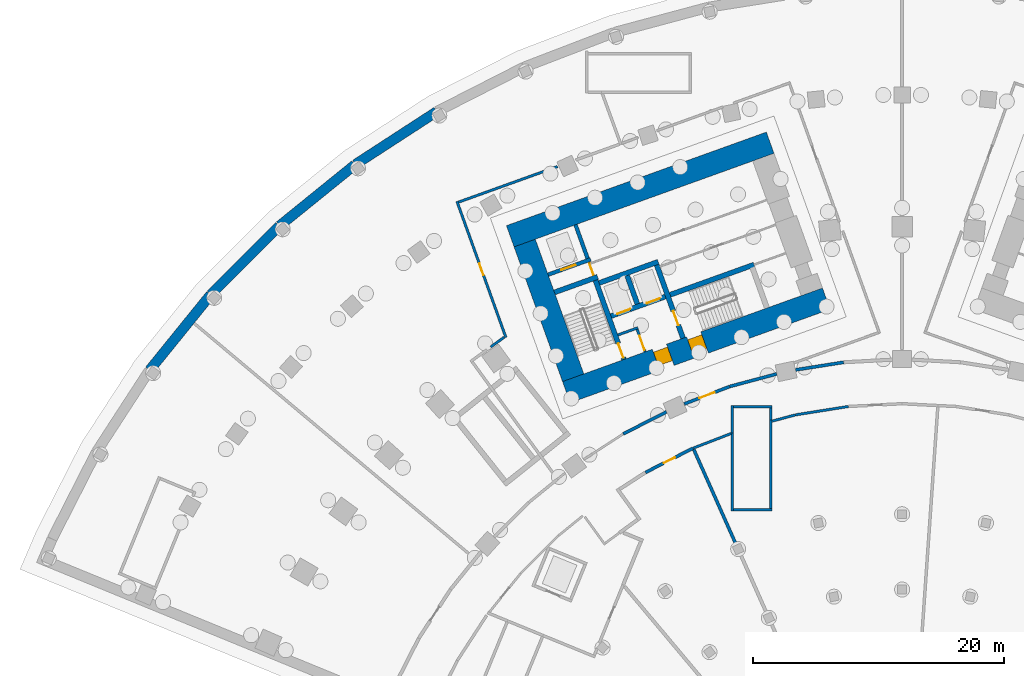
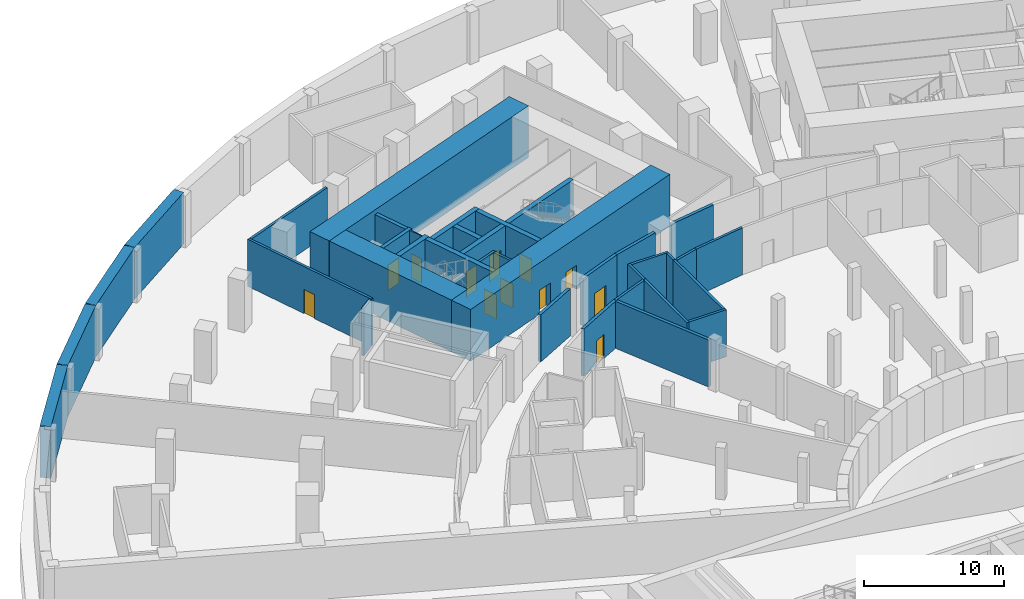
# One storey, part 10 of 25: 36 walls, 12 doors, 12 openings.
"""IFC4 building model written with IfcOpenShell, lengths in metres."""

from ifc_helpers import new_model, si_unit, direction, frame, frame_2d, origin, place, context, subcontext, project, spatial, rectangle, extrude, material, layer, layer_set, type_object, element, fill, save


model = new_model("IFC4")

# Units and contexts
model_context = context("Model", 3, precision=1e-05, world=origin(), true_north=direction((0.0, 1.0)))
body_context = subcontext(model_context, "Body", "Model", "MODEL_VIEW")
ifc_project = project(units=[si_unit("LENGTHUNIT", "METRE"), si_unit("AREAUNIT", "SQUARE_METRE"), si_unit("VOLUMEUNIT", "CUBIC_METRE"), si_unit("PLANEANGLEUNIT", "RADIAN"), si_unit("MASSUNIT", "GRAM", prefix="KILO")], contexts=[model_context])

# Site, building, storey
site_placement = place(None, origin())
site = spatial("IfcSite", under=ifc_project, at=site_placement, CompositionType="ELEMENT")
building_placement = place(site_placement, origin())
building = spatial("IfcBuilding", under=site, at=building_placement, Name="Stone Belt Terrace Tower", CompositionType="ELEMENT")
storey_placement = place(building_placement, frame((0.0, 0.0, -13.5)))
storey = spatial("IfcBuildingStorey", under=building, at=storey_placement, Name="B3", CompositionType="ELEMENT", Elevation=-13.5)

# Walls
ifc_material_1 = material(Name="Concrete B30", Category="concrete")
ifc_layer_1 = layer(ifc_material_1, 0.800048828125)
ifc_layer_set_1 = layer_set([ifc_layer_1], Name="Basement wall 800 B30")
wall_type_1 = type_object("IfcWallType", Name="Basement wall 800 B30", PredefinedType="SHEAR", material=ifc_layer_set_1)
for number, where, z_axis, x_axis, name in (
    (1, (-37.0673828125, 64.16064453125, 0.0), (0.0, 0.0, 1.0), (-0.838660466412, -0.544654589696, 0.0), "Basement wall B3 41"),
    (2, (-43.57080078125, 59.9345703125, 0.0), (0.0, 0.0, 1.0), (-0.777146839365, -0.629319306922, 0.0), "Basement wall B3 42"),
    (3, (-49.596923828125, 55.0517578125, 0.0), (0.0, 0.0, 1.0), (-0.707106781187, -0.707106781187, 0.0), "Basement wall B3 43"),
    (4, (-55.079833984375, 49.56591796875, 0.0), (0.0, 0.0, 1.0), (-0.629319306922, -0.777146839365, 0.0), "Basement wall B3 44"),
):
    element("IfcWall", number, at=place(storey_placement, frame(where, z_axis=z_axis, x_axis=x_axis)), inside=storey, type_object=wall_type_1, Name=name, PredefinedType="SHEAR", context=body_context, shape_type="SweptSolid", body=[
        extrude(rectangle(XDim=7.71435546875, YDim=0.800048828125, at=frame_2d((3.857177734375, 0.0))), origin(), (0.0, 0.0, 1.0), 4.5),
    ])
ifc_layer_2 = layer(ifc_material_1, 0.25)
ifc_layer_set_2 = layer_set([ifc_layer_2], Name="Compartment wall 250")
wall_type_2 = type_object("IfcWallType", Name="Compartment wall 250", PredefinedType="SOLIDWALL", material=ifc_layer_set_2)
wall_1_placement = place(storey_placement, frame((-8.480224609375, 43.59521484375, 0.0), z_axis=(0.0, 0.0, 1.0), x_axis=(0.987762453966, 0.155965812071, 0.0)))
element("IfcWall", 5, at=wall_1_placement, inside=storey, type_object=wall_type_2, Name="Compartment wall B3 8", PredefinedType="SOLIDWALL", context=body_context, shape_type="SweptSolid", body=[
    extrude(rectangle(XDim=3.87109375, YDim=0.25, at=frame_2d((1.935546875, 0.0))), origin(), (0.0, 0.0, 1.0), 4.10009765625),
])

# Wall, opening, door
ifc_material_2 = material(Name="Plasterboard partition")
ifc_layer_3 = layer(ifc_material_2, 0.10009765625)
ifc_layer_set_3 = layer_set([ifc_layer_3], Name="Core partition 100")
wall_type_3 = type_object("IfcWallType", Name="Core partition 100", PredefinedType="PARTITIONING", material=ifc_layer_set_3)
wall_2_placement = place(storey_placement, frame((-24.555908203125, 51.10400390625, 0.0), z_axis=(0.0, 0.0, 1.0), x_axis=(-0.338621735342, 0.94092258999, 0.0)))
wall_2 = element("IfcWall", 6, at=wall_2_placement, inside=storey, type_object=wall_type_3, Name="Core A wall", PredefinedType="PARTITIONING", context=body_context, shape_type="SweptSolid", body=[
    extrude(rectangle(XDim=1.14990234375, YDim=0.10009765625, at=frame_2d((0.574951171875, 0.0))), origin(), (0.0, 0.0, 1.0), 4.10009765625),
])
opening_1_placement = place(wall_2_placement, frame((0.050048828125, 0.0, 0.0)))
opening_1 = element("IfcOpeningElement", 7, at=opening_1_placement, cuts=wall_2, Name="Opening B3-C03", PredefinedType="OPENING", context=body_context, shape_type="SweptSolid", body=[
    extrude(rectangle(XDim=1.0, YDim=2.10009765625, at=frame_2d((0.5, 1.050048828125))), frame((0.0, 0.06005859375, 0.0), z_axis=(0.0, -1.0, 0.0), x_axis=(1.0, 0.0, 0.0)), (0.0, 0.0, 1.0), 0.1201171875),
])
ifc_material_3 = material(Name="Timber door leaf", Category="wood")
door_type_1 = type_object("IfcDoorType", Name="Core room door 1000", OperationType="SINGLE_SWING_LEFT", PredefinedType="DOOR", material=ifc_material_3)
door_1_placement = place(opening_1_placement, origin())
door_1 = element("IfcDoor", 8, at=door_1_placement, inside=storey, type_object=door_type_1, Name="Service lift lobby door core A", OperationType="SINGLE_SWING_RIGHT", OverallHeight=2.10009765625, OverallWidth=1.0, PredefinedType="DOOR", context=body_context, shape_type="SweptSolid", body=[
    extrude(rectangle(XDim=1.0, YDim=2.10009765625, at=frame_2d((0.5, 1.050048828125))), frame((0.0, 0.02490234375, 0.0), z_axis=(0.0, -1.0, 0.0), x_axis=(1.0, 0.0, 0.0)), (0.0, 0.0, 1.0), 0.050048828125),
])
fill(opening_1, door_1)

# Wall, openings, doors
ifc_material_4 = material(Name="Concrete B80", Category="concrete")
ifc_layer_4 = layer(ifc_material_4, 1.800048828125)
ifc_layer_set_4 = layer_set([ifc_layer_4], Name="Core wall 1800 B80")
wall_type_4 = type_object("IfcWallType", Name="Core wall 1800 B80", PredefinedType="SHEAR", material=ifc_layer_set_4)
wall_3_placement = place(storey_placement, frame((-26.739501953125, 41.815673828125, 0.0), z_axis=(0.0, 0.0, 1.0), x_axis=(0.940921642213, 0.338624368902, 0.0)))
wall_3 = element("IfcWall", 9, at=wall_3_placement, inside=storey, type_object=wall_type_4, Name="Core A wall concave B3", PredefinedType="SHEAR", context=body_context, shape_type="SweptSolid", body=[
    extrude(rectangle(XDim=22.0, YDim=1.800048828125, at=frame_2d((11.0, 0.0))), origin(), (0.0, 0.0, 1.0), 4.5),
])
opening_2_placement = place(wall_3_placement, frame((7.60009765625, 0.0, 0.0)))
opening_2 = element("IfcOpeningElement", 10, at=opening_2_placement, cuts=wall_3, Name="Opening B3-C07", PredefinedType="OPENING", context=body_context, shape_type="SweptSolid", body=[
    extrude(rectangle(XDim=1.199951171875, YDim=2.10009765625, at=frame_2d((0.60009765625, 1.050048828125))), frame((0.0, 0.909912109375, 0.0), z_axis=(0.0, -1.0, 0.0), x_axis=(1.0, 0.0, 0.0)), (0.0, 0.0, 1.0), 1.820068359375),
])
opening_3_placement = place(wall_3_placement, frame((10.5, 0.0, 0.0)))
opening_3 = element("IfcOpeningElement", 11, at=opening_3_placement, cuts=wall_3, Name="Opening B3-C09", PredefinedType="OPENING", context=body_context, shape_type="SweptSolid", body=[
    extrude(rectangle(XDim=1.199951171875, YDim=2.10009765625, at=frame_2d((0.60009765625, 1.050048828125))), frame((0.0, 0.909912109375, 0.0), z_axis=(0.0, -1.0, 0.0), x_axis=(1.0, 0.0, 0.0)), (0.0, 0.0, 1.0), 1.820068359375),
])
ifc_material_5 = material(Name="Steel door leaf", Category="steel")
door_type_2 = type_object("IfcDoorType", Name="Fire-fighting lobby door 1200", OperationType="SINGLE_SWING_LEFT", PredefinedType="DOOR", material=ifc_material_5)
door_2_placement = place(opening_2_placement, origin())
door_2 = element("IfcDoor", 12, at=door_2_placement, inside=storey, type_object=door_type_2, Name="Fire-fighting lobby door core A", OperationType="SINGLE_SWING_RIGHT", OverallHeight=2.10009765625, OverallWidth=1.199951171875, PredefinedType="DOOR", context=body_context, shape_type="SweptSolid", body=[
    extrude(rectangle(XDim=1.199951171875, YDim=2.10009765625, at=frame_2d((0.60009765625, 1.050048828125))), frame((0.0, 0.655029296875, 0.0), z_axis=(0.0, -1.0, 0.0), x_axis=(1.0, 0.0, 0.0)), (0.0, 0.0, 1.0), 1.14990234375),
])
fill(opening_2, door_2)
door_type_3 = type_object("IfcDoorType", Name="Stair door 1200", OperationType="SINGLE_SWING_LEFT", PredefinedType="DOOR", material=ifc_material_5)
door_3_placement = place(opening_3_placement, origin())
door_3 = element("IfcDoor", 13, at=door_3_placement, inside=storey, type_object=door_type_3, Name="Stair 2 exit door core A", OperationType="SINGLE_SWING_LEFT", OverallHeight=2.10009765625, OverallWidth=1.199951171875, PredefinedType="DOOR", context=body_context, shape_type="SweptSolid", body=[
    extrude(rectangle(XDim=1.199951171875, YDim=2.10009765625, at=frame_2d((0.60009765625, 1.050048828125))), frame((0.0, 0.655029296875, 0.0), z_axis=(0.0, -1.0, 0.0), x_axis=(1.0, 0.0, 0.0)), (0.0, 0.0, 1.0), 1.14990234375),
])
fill(opening_3, door_3)

# Walls
wall_4_placement = place(storey_placement, frame((-31.20947265625, 54.23583984375, 0.0), z_axis=(0.0, 0.0, 1.0), x_axis=(0.940922914687, 0.338620833112, 0.0)))
element("IfcWall", 14, at=wall_4_placement, inside=storey, type_object=wall_type_4, Name="Core A wall convex B3", PredefinedType="SHEAR", context=body_context, shape_type="SweptSolid", body=[
    extrude(rectangle(XDim=22.000244140625, YDim=1.800048828125, at=frame_2d((11.0, 0.0))), origin(), (0.0, 0.0, 1.0), 4.5),
])
wall_5_placement = place(storey_placement, frame((-26.197509765625, 42.96728515625, 0.0), z_axis=(0.0, 0.0, 1.0), x_axis=(-0.338625431531, 0.940921259788, 0.0)))
element("IfcWall", 15, at=wall_5_placement, inside=storey, type_object=wall_type_4, Name="Core A wall end_a B3", PredefinedType="SHEAR", context=body_context, shape_type="SweptSolid", body=[
    extrude(rectangle(XDim=11.400146484375, YDim=1.800048828125, at=frame_2d((5.7001953125, 0.0))), origin(), (0.0, 0.0, 1.0), 4.5),
])
ifc_layer_5 = layer(ifc_material_4, 0.39990234375)
ifc_layer_set_5 = layer_set([ifc_layer_5], Name="Fire-fighting lift shaft wall 400")
wall_type_5 = type_object("IfcWallType", Name="Fire-fighting lift shaft wall 400", PredefinedType="SHEAR", material=ifc_layer_set_5)
wall_6_placement = place(storey_placement, frame((-24.130615234375, 50.512939453125, 0.0), z_axis=(0.0, 0.0, 1.0), x_axis=(0.94091168377, 0.338652038744, 0.0)))
element("IfcWall", 16, at=wall_6_placement, inside=storey, type_object=wall_type_5, Name="Core A wall", PredefinedType="SHEAR", context=body_context, shape_type="SweptSolid", body=[
    extrude(rectangle(XDim=5.000244140625, YDim=0.39990234375, at=frame_2d((2.5, 0.0))), origin(), (0.0, 0.0, 1.0), 4.10009765625),
])
wall_7_placement = place(storey_placement, frame((-21.0859375, 48.845458984375, 0.0), z_axis=(0.0, 0.0, 1.0), x_axis=(-0.338629416206, 0.940919825745, 0.0)))
element("IfcWall", 17, at=wall_7_placement, inside=storey, type_object=wall_type_5, Name="Core A wall", PredefinedType="SHEAR", context=body_context, shape_type="SweptSolid", body=[
    extrude(rectangle(XDim=2.400146484375, YDim=0.39990234375, at=frame_2d((1.2001953125, 0.0))), origin(), (0.0, 0.0, 1.0), 4.10009765625),
])
ifc_material_6 = material(Name="Fire-resistant glazing in steel frame", Category="steel")
ifc_layer_6 = layer(ifc_material_6, 0.25)
ifc_layer_set_6 = layer_set([ifc_layer_6], Name="Glazed compartment fire screen 250")
wall_type_6 = type_object("IfcWallType", Name="Glazed compartment fire screen 250", PredefinedType="PARTITIONING", material=ifc_layer_set_6)
wall_8_placement = place(storey_placement, frame((-22.214111328125, 38.492919921875, 0.0), z_axis=(0.0, 0.0, 1.0), x_axis=(0.890946648215, 0.454107993802, 0.0)))
element("IfcWall", 18, at=wall_8_placement, inside=storey, type_object=wall_type_6, Name="Compartment fire screen B3 5", PredefinedType="PARTITIONING", context=body_context, shape_type="SweptSolid", body=[
    extrude(rectangle(XDim=3.87353515625, YDim=0.25, at=frame_2d((1.936767578125, 0.0))), origin(), (0.0, 0.0, 1.0), 4.10009765625),
])

# Wall, opening, door
wall_9_placement = place(storey_placement, frame((-17.358154296875, 40.877197265625, 0.0), z_axis=(0.0, 0.0, 1.0), x_axis=(0.933580570159, 0.358367575294, 0.0)))
wall_9 = element("IfcWall", 19, at=wall_9_placement, inside=storey, type_object=wall_type_6, Name="Compartment fire screen B3 6", PredefinedType="PARTITIONING", context=body_context, shape_type="SweptSolid", body=[
    extrude(rectangle(XDim=3.8798828125, YDim=0.25, at=frame_2d((1.93994140625, 0.0))), origin(), (0.0, 0.0, 1.0), 4.10009765625),
])
opening_4_placement = place(wall_9_placement, frame((1.289794921875, 0.0, 0.0)))
opening_4 = element("IfcOpeningElement", 20, at=opening_4_placement, cuts=wall_9, Name="Opening B3-P15", PredefinedType="OPENING", context=body_context, shape_type="SweptSolid", body=[
    extrude(rectangle(XDim=1.300048828125, YDim=2.10009765625, at=frame_2d((0.64990234375, 1.050048828125))), frame((0.0, 0.135009765625, 0.0), z_axis=(0.0, -1.0, 0.0), x_axis=(1.0, 0.0, 0.0)), (0.0, 0.0, 1.0), 0.27001953125),
])
ifc_material_7 = material(Name="Steel framed fire door leaf", Category="steel")
door_type_4 = type_object("IfcDoorType", Name="Fire door 1300 x 2100 EI 60", OperationType="SINGLE_SWING_LEFT", PredefinedType="DOOR", material=ifc_material_7)
door_4_placement = place(opening_4_placement, origin())
door_4 = element("IfcDoor", 21, at=door_4_placement, inside=storey, type_object=door_type_4, Name="Fire door 1300 x 2100 EI 60", OperationType="SINGLE_SWING_LEFT", OverallHeight=2.10009765625, OverallWidth=1.300048828125, PredefinedType="DOOR", context=body_context, shape_type="SweptSolid", body=[
    extrude(rectangle(XDim=1.300048828125, YDim=2.10009765625, at=frame_2d((0.64990234375, 1.050048828125))), frame((0.0, 0.02490234375, 0.0), z_axis=(0.0, -1.0, 0.0), x_axis=(1.0, 0.0, 0.0)), (0.0, 0.0, 1.0), 0.050048828125),
])
fill(opening_4, door_4)

# Wall
wall_10_placement = place(storey_placement, frame((-13.7236328125, 42.271728515625, 0.0), z_axis=(0.0, 0.0, 1.0), x_axis=(0.966098739054, 0.258172861468, 0.0)))
element("IfcWall", 22, at=wall_10_placement, inside=storey, type_object=wall_type_6, Name="Compartment fire screen B3 7", PredefinedType="PARTITIONING", context=body_context, shape_type="SweptSolid", body=[
    extrude(rectangle(XDim=3.87158203125, YDim=0.25, at=frame_2d((1.935791015625, 0.0))), origin(), (0.0, 0.0, 1.0), 4.10009765625),
])

# Wall, opening, door
ifc_layer_7 = layer(ifc_material_4, 0.300048828125)
ifc_layer_set_7 = layer_set([ifc_layer_7], Name="Lift shaft wall 300")
wall_type_7 = type_object("IfcWallType", Name="Lift shaft wall 300", PredefinedType="SHEAR", material=ifc_layer_set_7)
wall_11_placement = place(storey_placement, frame((-28.195068359375, 51.17578125, 0.0), z_axis=(0.0, 0.0, 1.0), x_axis=(0.940901243567, 0.338681044427, 0.0)))
wall_11 = element("IfcWall", 23, at=wall_11_placement, inside=storey, type_object=wall_type_7, Name="Core A wall", PredefinedType="SHEAR", context=body_context, shape_type="SweptSolid", body=[
    extrude(rectangle(XDim=3.599853515625, YDim=0.300048828125, at=frame_2d((1.7998046875, 0.0))), origin(), (0.0, 0.0, 1.0), 4.10009765625),
])
opening_5_placement = place(wall_11_placement, frame((1.1201171875, 0.0, 0.0)))
opening_5 = element("IfcOpeningElement", 24, at=opening_5_placement, cuts=wall_11, Name="Opening B3-LD03", PredefinedType="OPENING", context=body_context, shape_type="SweptSolid", body=[
    extrude(rectangle(XDim=1.199951171875, YDim=2.199951171875, at=frame_2d((0.60009765625, 1.10009765625))), frame((0.0, 0.159912109375, 0.0), z_axis=(0.0, -1.0, 0.0), x_axis=(1.0, 0.0, 0.0)), (0.0, 0.0, 1.0), 0.320068359375),
])
ifc_material_8 = material(Name="Stainless steel door leaf", Category="steel")
door_type_5 = type_object("IfcDoorType", Name="Landing door 1200", OperationType="SLIDING_TO_LEFT", PredefinedType="DOOR", material=ifc_material_8)
door_5_placement = place(opening_5_placement, origin())
door_5 = element("IfcDoor", 25, at=door_5_placement, inside=storey, type_object=door_type_5, Name="Landing door SV1 core A", OperationType="SLIDING_TO_LEFT", OverallHeight=2.199951171875, OverallWidth=1.199951171875, PredefinedType="DOOR", context=body_context, shape_type="SweptSolid", body=[
    extrude(rectangle(XDim=1.199951171875, YDim=2.199951171875, at=frame_2d((0.60009765625, 1.10009765625))), frame((0.0, 0.02490234375, 0.0), z_axis=(0.0, -1.0, 0.0), x_axis=(1.0, 0.0, 0.0)), (0.0, 0.0, 1.0), 0.050048828125),
])
fill(opening_5, door_5)

# Wall
wall_12_placement = place(storey_placement, frame((-25.046875, 52.46826171875, 0.0), z_axis=(0.0, 0.0, 1.0), x_axis=(-0.338549588058, 0.940948551423, 0.0)))
element("IfcWall", 26, at=wall_12_placement, inside=storey, type_object=wall_type_7, Name="Core A wall", PredefinedType="SHEAR", context=body_context, shape_type="SweptSolid", body=[
    extrude(rectangle(XDim=2.849853515625, YDim=0.300048828125, at=frame_2d((1.4248046875, 0.0))), origin(), (0.0, 0.0, 1.0), 4.10009765625),
])

# Wall, opening, door
ifc_material_9 = material(Name="Reinforced blockwork wall, plastered both faces", Category="masonry")
ifc_layer_8 = layer(ifc_material_9, 0.25)
ifc_layer_set_8 = layer_set([ifc_layer_8], Name="Podium bund wall 250")
wall_type_8 = type_object("IfcWallType", Name="Podium bund wall 250", PredefinedType="SOLIDWALL", material=ifc_layer_set_8)
wall_13_placement = place(storey_placement, frame((-20.444091796875, 35.423095703125, 0.0), z_axis=(0.0, 0.0, 1.0), x_axis=(0.891126902532, 0.453754166465, 0.0)))
wall_13 = element("IfcWall", 27, at=wall_13_placement, inside=storey, type_object=wall_type_8, Name="Podium bund wall 250", PredefinedType="SOLIDWALL", context=body_context, shape_type="SweptSolid", body=[
    extrude(rectangle(XDim=4.262451171875, YDim=0.25, at=frame_2d((2.13134765625, 0.0))), origin(), (0.0, 0.0, 1.0), 4.10009765625),
])
opening_6_placement = place(wall_13_placement, frame((1.63134765625, 0.0, 0.0)))
opening_6 = element("IfcOpeningElement", 28, at=opening_6_placement, cuts=wall_13, Name="Opening B3-P04", PredefinedType="OPENING", context=body_context, shape_type="SweptSolid", body=[
    extrude(rectangle(XDim=1.0, YDim=2.10009765625, at=frame_2d((0.5, 1.050048828125))), frame((0.0, 0.135009765625, 0.0), z_axis=(0.0, -1.0, 0.0), x_axis=(1.0, 0.0, 0.0)), (0.0, 0.0, 1.0), 0.27001953125),
])
ifc_material_10 = material(Name="Steel framed door leaf", Category="steel")
door_type_6 = type_object("IfcDoorType", Name="Podium door single 1000", OperationType="SINGLE_SWING_LEFT", PredefinedType="DOOR", material=ifc_material_10)
door_6_placement = place(opening_6_placement, origin())
door_6 = element("IfcDoor", 29, at=door_6_placement, inside=storey, type_object=door_type_6, Name="Podium door single 1000", OperationType="SINGLE_SWING_RIGHT", OverallHeight=2.10009765625, OverallWidth=1.0, PredefinedType="DOOR", context=body_context, shape_type="SweptSolid", body=[
    extrude(rectangle(XDim=1.0, YDim=2.10009765625, at=frame_2d((0.5, 1.050048828125))), frame((0.0, 0.02490234375, 0.0), z_axis=(0.0, -1.0, 0.0), x_axis=(1.0, 0.0, 0.0)), (0.0, 0.0, 1.0), 0.050048828125),
])
fill(opening_6, door_6)

# Wall
wall_14_placement = place(storey_placement, frame((-16.589111328125, 37.24560546875, 0.0), z_axis=(0.0, 0.0, 1.0), x_axis=(0.406780216915, -0.913526056074, 0.0)))
element("IfcWall", 30, at=wall_14_placement, inside=storey, type_object=wall_type_8, Name="Podium bund wall 250", PredefinedType="SOLIDWALL", context=body_context, shape_type="SweptSolid", body=[
    extrude(rectangle(XDim=8.22314453125, YDim=0.25, at=frame_2d((4.111572265625, 0.0))), origin(), (0.0, 0.0, 1.0), 4.10009765625),
])

# Wall, opening, door
ifc_material_11 = material(Name="Blockwork wall, plastered both faces", Category="masonry")
ifc_layer_9 = layer(ifc_material_11, 0.199951171875)
ifc_layer_set_9 = layer_set([ifc_layer_9], Name="Podium demising wall 200")
wall_type_9 = type_object("IfcWallType", Name="Podium demising wall 200", PredefinedType="PARTITIONING", material=ifc_layer_set_9)
wall_15_placement = place(storey_placement, frame((-35.453857421875, 57.01416015625, 0.0), z_axis=(0.0, 0.0, 1.0), x_axis=(0.338414816359, -0.94099703085, 0.0)))
wall_15 = element("IfcWall", 31, at=wall_15_placement, inside=storey, type_object=wall_type_9, Name="Podium demising wall 200", PredefinedType="PARTITIONING", context=body_context, shape_type="SweptSolid", body=[
    extrude(rectangle(XDim=11.52197265625, YDim=0.199951171875, at=frame_2d((5.760986328125, 0.0))), origin(), (0.0, 0.0, 1.0), 4.10009765625),
])
opening_7_placement = place(wall_15_placement, frame((5.260986328125, 0.0, 0.0)))
opening_7 = element("IfcOpeningElement", 32, at=opening_7_placement, cuts=wall_15, Name="Opening B3-P10", PredefinedType="OPENING", context=body_context, shape_type="SweptSolid", body=[
    extrude(rectangle(XDim=1.0, YDim=2.10009765625, at=frame_2d((0.5, 1.050048828125))), frame((0.0, 0.10986328125, 0.0), z_axis=(0.0, -1.0, 0.0), x_axis=(1.0, 0.0, 0.0)), (0.0, 0.0, 1.0), 0.219970703125),
])
door_7_placement = place(opening_7_placement, origin())
door_7 = element("IfcDoor", 33, at=door_7_placement, inside=storey, type_object=door_type_6, Name="Podium door single 1000", OperationType="SINGLE_SWING_RIGHT", OverallHeight=2.10009765625, OverallWidth=1.0, PredefinedType="DOOR", context=body_context, shape_type="SweptSolid", body=[
    extrude(rectangle(XDim=1.0, YDim=2.10009765625, at=frame_2d((0.5, 1.050048828125))), frame((0.0, 0.02490234375, 0.0), z_axis=(0.0, -1.0, 0.0), x_axis=(1.0, 0.0, 0.0)), (0.0, 0.0, 1.0), 0.050048828125),
])
fill(opening_7, door_7)

# Walls
wall_16_placement = place(storey_placement, frame((-35.325927734375, 56.953857421875, 0.0), z_axis=(0.0, 0.0, 1.0), x_axis=(0.940968401959, 0.33849441135, 0.0)))
element("IfcWall", 34, at=wall_16_placement, inside=storey, type_object=wall_type_9, Name="Podium demising wall 200", PredefinedType="PARTITIONING", context=body_context, shape_type="SweptSolid", body=[
    extrude(rectangle(XDim=8.37451171875, YDim=0.199951171875, at=frame_2d((4.187255859375, 0.0))), origin(), (0.0, 0.0, 1.0), 4.10009765625),
])
wall_17_placement = place(storey_placement, frame((-32.7626953125, 45.418701171875, 0.0), z_axis=(0.0, 0.0, 1.0), x_axis=(0.809270458683, 0.587436230328, 0.0)))
element("IfcWall", 35, at=wall_17_placement, inside=storey, type_object=wall_type_9, Name="Podium demising wall 200", PredefinedType="PARTITIONING", context=body_context, shape_type="SweptSolid", body=[
    extrude(rectangle(XDim=1.32275390625, YDim=0.199951171875, at=frame_2d((0.661376953125, 0.0))), origin(), (0.0, 0.0, 1.0), 4.10009765625),
])
wall_18_placement = place(storey_placement, frame((-16.63525390625, 37.36181640625, 0.0), z_axis=(0.0, 0.0, 1.0), x_axis=(0.932955628741, 0.359991381565, 0.0)))
element("IfcWall", 36, at=wall_18_placement, inside=storey, type_object=wall_type_9, Name="Podium demising wall 200", PredefinedType="PARTITIONING", context=body_context, shape_type="SweptSolid", body=[
    extrude(rectangle(XDim=3.2314453125, YDim=0.199951171875, at=frame_2d((1.61572265625, 0.0))), origin(), (0.0, 0.0, 1.0), 4.10009765625),
])
wall_19_placement = place(storey_placement, frame((-10.3505859375, 39.51220703125, 0.0), z_axis=(0.0, 0.0, 1.0), x_axis=(0.965683566796, 0.259721483172, 0.0)))
element("IfcWall", 37, at=wall_19_placement, inside=storey, type_object=wall_type_9, Name="Podium demising wall 200", PredefinedType="PARTITIONING", context=body_context, shape_type="SweptSolid", body=[
    extrude(rectangle(XDim=1.9111328125, YDim=0.199951171875, at=frame_2d((0.95556640625, 0.0))), origin(), (0.0, 0.0, 1.0), 4.10009765625),
])
wall_20_placement = place(storey_placement, frame((-8.494873046875, 40.0107421875, 0.0), z_axis=(0.0, 0.0, 1.0), x_axis=(0.987626517925, 0.156824300068, 0.0)))
element("IfcWall", 38, at=wall_20_placement, inside=storey, type_object=wall_type_9, Name="Podium demising wall 200", PredefinedType="PARTITIONING", context=body_context, shape_type="SweptSolid", body=[
    extrude(rectangle(XDim=4.262451171875, YDim=0.199951171875, at=frame_2d((2.13134765625, 0.0))), origin(), (0.0, 0.0, 1.0), 4.10009765625),
])
ifc_layer_10 = layer(ifc_material_1, 0.199951171875)
ifc_layer_set_10 = layer_set([ifc_layer_10], Name="Podium stair and shaft wall 200")
wall_type_10 = type_object("IfcWallType", Name="Podium stair and shaft wall 200", PredefinedType="SOLIDWALL", material=ifc_layer_set_10)
wall_21_placement = place(storey_placement, frame((-13.530029296875, 32.340087890625, 0.0), z_axis=(0.0, 0.0, 1.0), x_axis=(0.0, 1.0, 0.0)))
element("IfcWall", 39, at=wall_21_placement, inside=storey, type_object=wall_type_10, Name="Podium stair and shaft wall 200", PredefinedType="SOLIDWALL", context=body_context, shape_type="SweptSolid", body=[
    extrude(rectangle(XDim=6.2099609375, YDim=0.199951171875, at=frame_2d((3.10498046875, 0.0))), origin(), (0.0, 0.0, 1.0), 4.10009765625),
])
wall_22_placement = place(storey_placement, frame((-13.429931640625, 32.43994140625, 0.0), z_axis=(0.0, 0.0, 1.0), x_axis=(1.0, 0.0, 0.0)))
element("IfcWall", 40, at=wall_22_placement, inside=storey, type_object=wall_type_10, Name="Podium stair and shaft wall 200", PredefinedType="SOLIDWALL", context=body_context, shape_type="SweptSolid", body=[
    extrude(rectangle(XDim=3.059814453125, YDim=0.199951171875, at=frame_2d((1.52978515625, 0.0))), origin(), (0.0, 0.0, 1.0), 4.10009765625),
])
wall_23_placement = place(storey_placement, frame((-13.530029296875, 38.550048828125, 0.0), z_axis=(0.0, 0.0, 1.0), x_axis=(0.0, 1.0, 0.0)))
element("IfcWall", 41, at=wall_23_placement, inside=storey, type_object=wall_type_10, Name="Podium stair and shaft wall 200", PredefinedType="SOLIDWALL", context=body_context, shape_type="SweptSolid", body=[
    extrude(rectangle(XDim=2.2099609375, YDim=0.199951171875, at=frame_2d((1.10498046875, 0.0))), origin(), (0.0, 0.0, 1.0), 4.10009765625),
])
wall_24_placement = place(storey_placement, frame((-13.429931640625, 40.659912109375, 0.0), z_axis=(0.0, 0.0, 1.0), x_axis=(1.0, 0.0, 0.0)))
element("IfcWall", 42, at=wall_24_placement, inside=storey, type_object=wall_type_10, Name="Podium stair and shaft wall 200", PredefinedType="SOLIDWALL", context=body_context, shape_type="SweptSolid", body=[
    extrude(rectangle(XDim=3.059814453125, YDim=0.199951171875, at=frame_2d((1.52978515625, 0.0))), origin(), (0.0, 0.0, 1.0), 4.10009765625),
])
wall_25_placement = place(storey_placement, frame((-10.469970703125, 32.5400390625, 0.0), z_axis=(0.0, 0.0, 1.0), x_axis=(0.0, 1.0, 0.0)))
element("IfcWall", 43, at=wall_25_placement, inside=storey, type_object=wall_type_10, Name="Podium stair and shaft wall 200", PredefinedType="SOLIDWALL", context=body_context, shape_type="SweptSolid", body=[
    extrude(rectangle(XDim=7.04345703125, YDim=0.199951171875, at=frame_2d((3.521728515625, 0.0))), origin(), (0.0, 0.0, 1.0), 4.10009765625),
])
wall_26_placement = place(storey_placement, frame((-10.469970703125, 39.583984375, 0.0), z_axis=(0.0, 0.0, 1.0), x_axis=(0.0, 1.0, 0.0)))
element("IfcWall", 44, at=wall_26_placement, inside=storey, type_object=wall_type_10, Name="Podium stair and shaft wall 200", PredefinedType="SOLIDWALL", context=body_context, shape_type="SweptSolid", body=[
    extrude(rectangle(XDim=0.97607421875, YDim=0.199951171875, at=frame_2d((0.488037109375, 0.0))), origin(), (0.0, 0.0, 1.0), 4.10009765625),
])
ifc_material_12 = material(Name="Concrete masonry block", Category="masonry")
ifc_layer_11 = layer(ifc_material_12, 0.199951171875)
ifc_layer_set_11 = layer_set([ifc_layer_11], Name="Rated lobby wall 200")
wall_type_11 = type_object("IfcWallType", Name="Rated lobby wall 200", PredefinedType="PARTITIONING", material=ifc_layer_set_11)
wall_27_placement = place(storey_placement, frame((-22.640625, 46.373046875, 0.0), z_axis=(0.0, 0.0, 1.0), x_axis=(0.940966110313, 0.338500781747, 0.0)))
element("IfcWall", 45, at=wall_27_placement, inside=storey, type_object=wall_type_11, Name="Core A wall", PredefinedType="PARTITIONING", context=body_context, shape_type="SweptSolid", body=[
    extrude(rectangle(XDim=1.699951171875, YDim=0.199951171875, at=frame_2d((0.85009765625, 0.0))), origin(), (0.0, 0.0, 1.0), 4.10009765625),
])

# Wall, opening, door
wall_28_placement = place(storey_placement, frame((-20.4580078125, 45.032958984375, 0.0), z_axis=(0.0, 0.0, 1.0), x_axis=(-0.338573865316, 0.940939816208, 0.0)))
wall_28 = element("IfcWall", 46, at=wall_28_placement, inside=storey, type_object=wall_type_11, Name="Core A wall", PredefinedType="PARTITIONING", context=body_context, shape_type="SweptSolid", body=[
    extrude(rectangle(XDim=1.900146484375, YDim=0.199951171875, at=frame_2d((0.9501953125, 0.0))), origin(), (0.0, 0.0, 1.0), 4.10009765625),
])
opening_8_placement = place(wall_28_placement, frame((0.14990234375, 0.0, 0.0)))
opening_8 = element("IfcOpeningElement", 47, at=opening_8_placement, cuts=wall_28, Name="Opening B3-C06", PredefinedType="OPENING", context=body_context, shape_type="SweptSolid", body=[
    extrude(rectangle(XDim=1.199951171875, YDim=2.10009765625, at=frame_2d((0.60009765625, 1.050048828125))), frame((0.0, 0.10986328125, 0.0), z_axis=(0.0, -1.0, 0.0), x_axis=(1.0, 0.0, 0.0)), (0.0, 0.0, 1.0), 0.219970703125),
])
door_8_placement = place(opening_8_placement, origin())
door_8 = element("IfcDoor", 48, at=door_8_placement, inside=storey, type_object=door_type_3, Name="Stair airlock door core A", OperationType="SINGLE_SWING_RIGHT", OverallHeight=2.10009765625, OverallWidth=1.199951171875, PredefinedType="DOOR", context=body_context, shape_type="SweptSolid", body=[
    extrude(rectangle(XDim=1.199951171875, YDim=2.10009765625, at=frame_2d((0.60009765625, 1.050048828125))), frame((0.0, 0.02490234375, 0.0), z_axis=(0.0, -1.0, 0.0), x_axis=(1.0, 0.0, 0.0)), (0.0, 0.0, 1.0), 0.050048828125),
])
fill(opening_8, door_8)

# Wall
ifc_layer_12 = layer(ifc_material_4, 0.39990234375)
ifc_layer_set_12 = layer_set([ifc_layer_12], Name="Stair enclosure wall 400")
wall_type_12 = type_object("IfcWallType", Name="Stair enclosure wall 400", PredefinedType="SHEAR", material=ifc_layer_set_12)
wall_29_placement = place(storey_placement, frame((-27.687255859375, 49.764404296875, 0.0), z_axis=(0.0, 0.0, 1.0), x_axis=(0.940918954884, 0.338631835981, 0.0)))
element("IfcWall", 49, at=wall_29_placement, inside=storey, type_object=wall_type_12, Name="Core A wall", PredefinedType="SHEAR", context=body_context, shape_type="SweptSolid", body=[
    extrude(rectangle(XDim=3.650146484375, YDim=0.39990234375, at=frame_2d((1.8251953125, 0.0))), origin(), (0.0, 0.0, 1.0), 4.10009765625),
])

# Wall, opening, door
wall_30_placement = place(storey_placement, frame((-22.151611328125, 44.42333984375, 0.0), z_axis=(0.0, 0.0, 1.0), x_axis=(-0.338625272931, 0.940921316866, 0.0)))
wall_30 = element("IfcWall", 50, at=wall_30_placement, inside=storey, type_object=wall_type_12, Name="Core A wall", PredefinedType="SHEAR", context=body_context, shape_type="SweptSolid", body=[
    extrude(rectangle(XDim=6.699951171875, YDim=0.39990234375, at=frame_2d((3.35009765625, 0.0))), origin(), (0.0, 0.0, 1.0), 4.10009765625),
])
opening_9_placement = place(wall_30_placement, frame((0.14990234375, 0.0, 0.0)))
opening_9 = element("IfcOpeningElement", 51, at=opening_9_placement, cuts=wall_30, Name="Opening B3-C05", PredefinedType="OPENING", context=body_context, shape_type="SweptSolid", body=[
    extrude(rectangle(XDim=1.199951171875, YDim=2.10009765625, at=frame_2d((0.60009765625, 1.050048828125))), frame((0.0, 0.2099609375, 0.0), z_axis=(0.0, -1.0, 0.0), x_axis=(1.0, 0.0, 0.0)), (0.0, 0.0, 1.0), 0.419921875),
])
door_9_placement = place(opening_9_placement, origin())
door_9 = element("IfcDoor", 52, at=door_9_placement, inside=storey, type_object=door_type_3, Name="Stair 1 door core A", OperationType="SINGLE_SWING_RIGHT", OverallHeight=2.10009765625, OverallWidth=1.199951171875, PredefinedType="DOOR", context=body_context, shape_type="SweptSolid", body=[
    extrude(rectangle(XDim=1.199951171875, YDim=2.10009765625, at=frame_2d((0.60009765625, 1.050048828125))), frame((0.0, 0.02490234375, 0.0), z_axis=(0.0, -1.0, 0.0), x_axis=(1.0, 0.0, 0.0)), (0.0, 0.0, 1.0), 0.050048828125),
])
fill(opening_9, door_9)

# Wall, openings, doors
wall_31_placement = place(storey_placement, frame((-23.182373046875, 47.87841796875, 0.0), z_axis=(0.0, 0.0, 1.0), x_axis=(0.940921101762, 0.338625870628, 0.0)))
wall_31 = element("IfcWall", 53, at=wall_31_placement, inside=storey, type_object=wall_type_12, Name="Core A wall", PredefinedType="SHEAR", context=body_context, shape_type="SweptSolid", body=[
    extrude(rectangle(XDim=12.10009765625, YDim=0.39990234375, at=frame_2d((6.050048828125, 0.0))), origin(), (0.0, 0.0, 1.0), 4.10009765625),
])
opening_10_placement = place(wall_31_placement, frame((0.52001953125, 0.0, 0.0)))
opening_10 = element("IfcOpeningElement", 54, at=opening_10_placement, cuts=wall_31, Name="Opening B3-LD01", PredefinedType="OPENING", context=body_context, shape_type="SweptSolid", body=[
    extrude(rectangle(XDim=1.10009765625, YDim=2.199951171875, at=frame_2d((0.550048828125, 1.10009765625))), frame((0.0, 0.2099609375, 0.0), z_axis=(0.0, -1.0, 0.0), x_axis=(1.0, 0.0, 0.0)), (0.0, 0.0, 1.0), 0.419921875),
])
opening_11_placement = place(wall_31_placement, frame((3.02001953125, 0.0, 0.0)))
opening_11 = element("IfcOpeningElement", 55, at=opening_11_placement, cuts=wall_31, Name="Opening B3-LD02", PredefinedType="OPENING", context=body_context, shape_type="SweptSolid", body=[
    extrude(rectangle(XDim=1.10009765625, YDim=2.199951171875, at=frame_2d((0.550048828125, 1.10009765625))), frame((0.0, 0.2099609375, 0.0), z_axis=(0.0, -1.0, 0.0), x_axis=(1.0, 0.0, 0.0)), (0.0, 0.0, 1.0), 0.419921875),
])
door_type_7 = type_object("IfcDoorType", Name="Landing door 1100", OperationType="SLIDING_TO_LEFT", PredefinedType="DOOR", material=ifc_material_8)
door_10_placement = place(opening_10_placement, origin())
door_10 = element("IfcDoor", 56, at=door_10_placement, inside=storey, type_object=door_type_7, Name="Landing door FF1 core A", OperationType="SLIDING_TO_LEFT", OverallHeight=2.199951171875, OverallWidth=1.10009765625, PredefinedType="DOOR", context=body_context, shape_type="SweptSolid", body=[
    extrude(rectangle(XDim=1.10009765625, YDim=2.199951171875, at=frame_2d((0.550048828125, 1.10009765625))), frame((0.0, 0.02490234375, 0.0), z_axis=(0.0, -1.0, 0.0), x_axis=(1.0, 0.0, 0.0)), (0.0, 0.0, 1.0), 0.050048828125),
])
fill(opening_10, door_10)
door_11_placement = place(opening_11_placement, origin())
door_11 = element("IfcDoor", 57, at=door_11_placement, inside=storey, type_object=door_type_7, Name="Landing door FF2 core A", OperationType="SLIDING_TO_LEFT", OverallHeight=2.199951171875, OverallWidth=1.10009765625, PredefinedType="DOOR", context=body_context, shape_type="SweptSolid", body=[
    extrude(rectangle(XDim=1.10009765625, YDim=2.199951171875, at=frame_2d((0.550048828125, 1.10009765625))), frame((0.0, 0.02490234375, 0.0), z_axis=(0.0, -1.0, 0.0), x_axis=(1.0, 0.0, 0.0)), (0.0, 0.0, 1.0), 0.050048828125),
])
fill(opening_11, door_11)

# Wall, opening, door
wall_32_placement = place(storey_placement, frame((-17.447021484375, 46.116455078125, 0.0), z_axis=(0.0, 0.0, 1.0), x_axis=(-0.33860791464, 0.940927563707, 0.0)))
wall_32 = element("IfcWall", 58, at=wall_32_placement, inside=storey, type_object=wall_type_12, Name="Core A wall", PredefinedType="SHEAR", context=body_context, shape_type="SweptSolid", body=[
    extrude(rectangle(XDim=6.199951171875, YDim=0.39990234375, at=frame_2d((3.10009765625, 0.0))), origin(), (0.0, 0.0, 1.0), 4.10009765625),
])
opening_12_placement = place(wall_32_placement, frame((1.10009765625, 0.0, 0.0)))
opening_12 = element("IfcOpeningElement", 59, at=opening_12_placement, cuts=wall_32, Name="Opening B3-C08", PredefinedType="OPENING", context=body_context, shape_type="SweptSolid", body=[
    extrude(rectangle(XDim=1.199951171875, YDim=2.10009765625, at=frame_2d((0.60009765625, 1.050048828125))), frame((0.0, 0.2099609375, 0.0), z_axis=(0.0, -1.0, 0.0), x_axis=(1.0, 0.0, 0.0)), (0.0, 0.0, 1.0), 0.419921875),
])
door_12_placement = place(opening_12_placement, origin())
door_12 = element("IfcDoor", 60, at=door_12_placement, inside=storey, type_object=door_type_3, Name="Stair 2 door core A", OperationType="SINGLE_SWING_RIGHT", OverallHeight=2.10009765625, OverallWidth=1.199951171875, PredefinedType="DOOR", context=body_context, shape_type="SweptSolid", body=[
    extrude(rectangle(XDim=1.199951171875, YDim=2.10009765625, at=frame_2d((0.60009765625, 1.050048828125))), frame((0.0, 0.02490234375, 0.0), z_axis=(0.0, -1.0, 0.0), x_axis=(1.0, 0.0, 0.0)), (0.0, 0.0, 1.0), 0.050048828125),
])
fill(opening_12, door_12)

save(model, "model.ifc")
